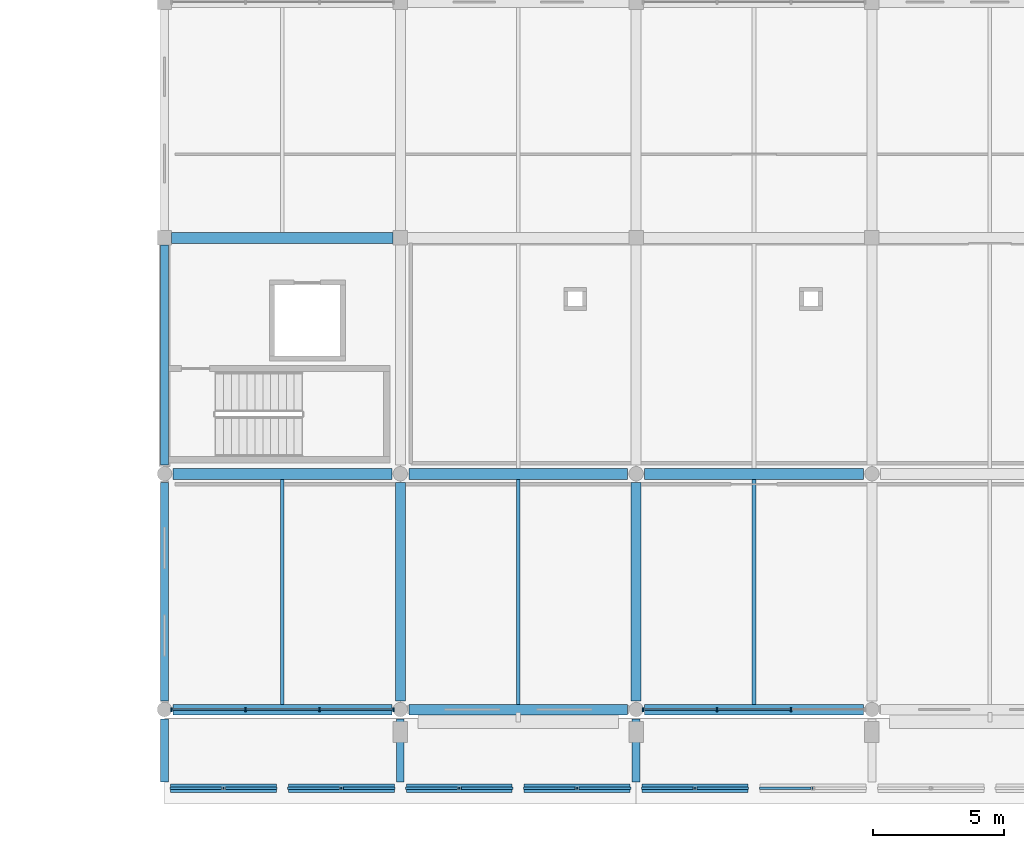
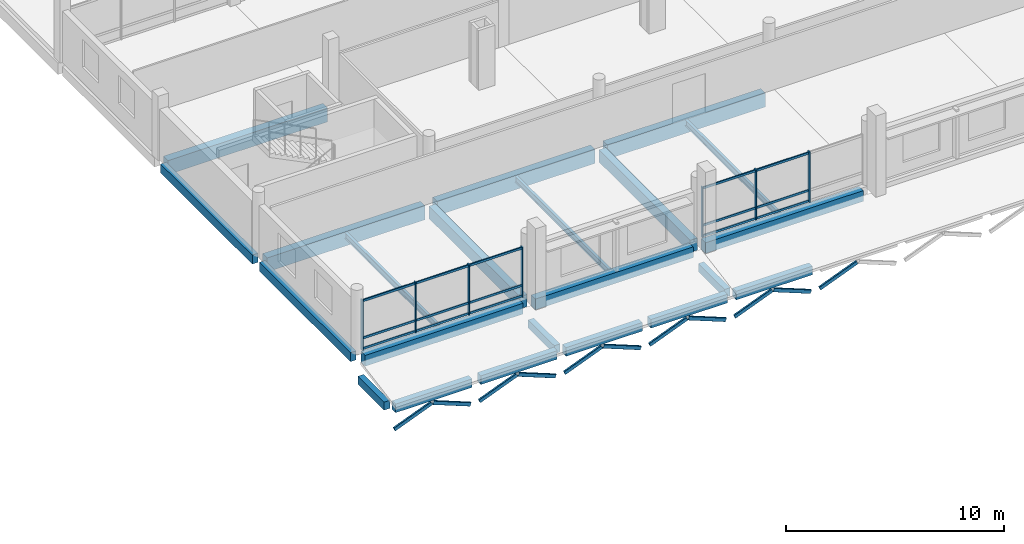
# One storey, part 55 of 132: 33 members, 22 beams, 2 elements without a shape of their own.
"""IFC4 building model written with IfcOpenShell, lengths in metres."""

from ifc_helpers import new_model, si_unit, direction, frame, origin, origin_2d, place, context, subcontext, project, spatial, rectangle, hollow_rectangle, i_section, extrude, material, material_profile, profile_set, type_object, element, aggregate, save


model = new_model("IFC4")

# Units and contexts
model_context = context("Model", 3, precision=1e-05, world=origin(), true_north=direction((0.0, 1.0)))
body_context = subcontext(model_context, "Body", "Model", "MODEL_VIEW")
ifc_project = project(units=[si_unit("LENGTHUNIT", "METRE"), si_unit("AREAUNIT", "SQUARE_METRE"), si_unit("VOLUMEUNIT", "CUBIC_METRE"), si_unit("PLANEANGLEUNIT", "RADIAN"), si_unit("MASSUNIT", "GRAM", prefix="KILO")], contexts=[model_context])

# Site, building, storey
site_placement = place(None, origin())
site = spatial("IfcSite", under=ifc_project, at=site_placement, CompositionType="ELEMENT")
building_placement = place(site_placement, origin())
building = spatial("IfcBuilding", under=site, at=building_placement, Name="Tharagai Park Tramway Depot", CompositionType="ELEMENT")
storey_placement = place(building_placement, frame((0.0, 0.0, 4.800048828125)))
storey = spatial("IfcBuildingStorey", under=building, at=storey_placement, Name="L01", CompositionType="ELEMENT", Elevation=4.800048828125)

# Beams
ifc_material_1 = material(Name="Concrete M35", Category="concrete")
ifc_material_profile_1 = material_profile(ifc_material_1, rectangle(XDim=0.3798828125, YDim=0.679931640625, at=origin_2d()), Name="RC 380x680")
ifc_profile_set_1 = profile_set([ifc_material_profile_1], Name="Concrete M35")
beam_type_1 = type_object("IfcBeamType", Name="BM-12", PredefinedType="BEAM", material=ifc_profile_set_1)
for number, where, z_axis, x_axis, name in (
    (1, (144.0, 0.324951171875, -0.570068359375), (0.0, 1.0, 0.0), (-1.0, 0.0, 0.0), "L01 Grid Beam BM-12"),
    (2, (153.0, 0.324951171875, -0.570068359375), (0.0, 1.0, 0.0), (-1.0, 0.0, 0.0), "L01 Grid Beam BM-12"),
):
    element("IfcBeam", number, at=place(storey_placement, frame(where, z_axis=z_axis, x_axis=x_axis)), inside=storey, type_object=beam_type_1, Name=name, PredefinedType="BEAM", context=body_context, shape_type="SweptSolid", body=[
        extrude(rectangle(XDim=0.3798828125, YDim=0.679931640625, at=origin_2d()), origin(), (0.0, 0.0, 1.0), 8.35009765625),
    ])
ifc_material_profile_2 = material_profile(ifc_material_1, rectangle(XDim=0.300048828125, YDim=0.449951171875, at=origin_2d()), Name="RC 300x450")
ifc_profile_set_2 = profile_set([ifc_material_profile_2], Name="Concrete M35")
beam_type_2 = type_object("IfcBeamType", Name="BM-14", PredefinedType="BEAM", material=ifc_profile_set_2)
for number, where, z_axis, x_axis, name in (
    (3, (135.0, -2.760009765625, -1.344970703125), (0.0, 1.0, 0.0), (-1.0, 0.0, 0.0), "Gothic Cloister Transverse Tie Beam BM-14"),
    (4, (144.0, -2.760009765625, -1.344970703125), (0.0, 1.0, 0.0), (-1.0, 0.0, 0.0), "Gothic Cloister Transverse Tie Beam BM-14"),
    (5, (153.0, -2.760009765625, -1.344970703125), (0.0, 1.0, 0.0), (-1.0, 0.0, 0.0), "Gothic Cloister Transverse Tie Beam BM-14"),
):
    element("IfcBeam", number, at=place(storey_placement, frame(where, z_axis=z_axis, x_axis=x_axis)), inside=storey, type_object=beam_type_2, Name=name, PredefinedType="BEAM", context=body_context, shape_type="SweptSolid", body=[
        extrude(rectangle(XDim=0.300048828125, YDim=0.449951171875, at=origin_2d()), origin(), (0.0, 0.0, 1.0), 2.39990234375),
    ])
ifc_material_profile_3 = material_profile(ifc_material_1, rectangle(XDim=0.419921875, YDim=0.780029296875, at=origin_2d()), Name="RC 420x780")
ifc_profile_set_3 = profile_set([ifc_material_profile_3], Name="Concrete M35")
beam_type_3 = type_object("IfcBeamType", Name="BM-16", PredefinedType="BEAM", material=ifc_profile_set_3)
for number, where, z_axis, x_axis, name in (
    (6, (135.324951171875, 9.0, -0.6201171875), (1.0, 0.0, 0.0), (0.0, 1.0, 0.0), "L01 Grid Beam BM-16"),
    (7, (144.324951171875, 9.0, -0.6201171875), (1.0, 0.0, 0.0), (0.0, 1.0, 0.0), "L01 Grid Beam BM-16"),
    (8, (153.324951171875, 9.0, -0.6201171875), (1.0, 0.0, 0.0), (0.0, 1.0, 0.0), "L01 Grid Beam BM-16"),
):
    element("IfcBeam", number, at=place(storey_placement, frame(where, z_axis=z_axis, x_axis=x_axis)), inside=storey, type_object=beam_type_3, Name=name, PredefinedType="BEAM", context=body_context, shape_type="SweptSolid", body=[
        extrude(rectangle(XDim=0.419921875, YDim=0.780029296875, at=origin_2d()), origin(), (0.0, 0.0, 1.0), 8.35009765625),
    ])
beam_1_placement = place(storey_placement, frame((135.27490234375, 18.0, -0.6201171875), z_axis=(1.0, 0.0, 0.0), x_axis=(0.0, 1.0, 0.0)))
element("IfcBeam", 9, at=beam_1_placement, inside=storey, type_object=beam_type_3, Name="L01 Grid Beam BM-16", PredefinedType="BEAM", context=body_context, shape_type="SweptSolid", body=[
    extrude(rectangle(XDim=0.419921875, YDim=0.780029296875, at=origin_2d()), origin(), (0.0, 0.0, 1.0), 8.4501953125),
])

# Curtain wall, members
ifc_material_2 = material(Name="Anodised aluminium", Category="aluminium")
curtain_wall_type = type_object("IfcCurtainWallType", Name="CW-06", PredefinedType="NOTDEFINED", material=ifc_material_2)
curtain_wall_1_placement = place(storey_placement, origin())
curtain_wall_1 = element("IfcCurtainWall", 10, at=curtain_wall_1_placement, inside=storey, type_object=curtain_wall_type, Name="L01 V5 Gothic Mullioned Curtain Wall CW-06", PredefinedType="NOTDEFINED")
ifc_material_profile_4 = material_profile(ifc_material_2, rectangle(XDim=0.06494140625, YDim=0.1201171875, at=origin_2d()), Name="ALU 65x120")
ifc_profile_set_4 = profile_set([ifc_material_profile_4], Name="Anodised aluminium")
member_type_1 = type_object("IfcMemberType", Name="CM-01", PredefinedType="USERDEFINED", material=ifc_profile_set_4)
member_1_placement = place(storey_placement, frame((135.280029296875, 0.0, 0.06005859375), z_axis=(1.0, 0.0, 0.0), x_axis=(0.0, 1.0, 0.0)))
member_1 = element("IfcMember", 11, at=member_1_placement, type_object=member_type_1, Name="L01 V5 Gothic Mullioned Curtain Wall Transom 1.1", ObjectType="TRANSOM", PredefinedType="USERDEFINED", context=body_context, shape_type="SweptSolid", body=[
    extrude(rectangle(XDim=0.06494140625, YDim=0.1201171875, at=origin_2d()), origin(), (0.0, 0.0, 1.0), 2.793212890625),
])
member_2_placement = place(storey_placement, frame((135.280029296875, 0.0, 0.64990234375), z_axis=(1.0, 0.0, 0.0), x_axis=(0.0, 1.0, 0.0)))
member_2 = element("IfcMember", 12, at=member_2_placement, type_object=member_type_1, Name="L01 V5 Gothic Mullioned Curtain Wall Transom 1.2", ObjectType="TRANSOM", PredefinedType="USERDEFINED", context=body_context, shape_type="SweptSolid", body=[
    extrude(rectangle(XDim=0.06494140625, YDim=0.1201171875, at=origin_2d()), origin(), (0.0, 0.0, 1.0), 2.793212890625),
])
member_3_placement = place(storey_placement, frame((135.280029296875, 0.0, 2.72998046875), z_axis=(1.0, 0.0, 0.0), x_axis=(0.0, 1.0, 0.0)))
member_3 = element("IfcMember", 13, at=member_3_placement, type_object=member_type_1, Name="L01 V5 Gothic Mullioned Curtain Wall Transom 1.3", ObjectType="TRANSOM", PredefinedType="USERDEFINED", context=body_context, shape_type="SweptSolid", body=[
    extrude(rectangle(XDim=0.06494140625, YDim=0.1201171875, at=origin_2d()), origin(), (0.0, 0.0, 1.0), 2.793212890625),
])
member_4_placement = place(storey_placement, frame((138.103271484375, 0.0, 0.06005859375), z_axis=(1.0, 0.0, 0.0), x_axis=(0.0, 1.0, 0.0)))
member_4 = element("IfcMember", 14, at=member_4_placement, type_object=member_type_1, Name="L01 V5 Gothic Mullioned Curtain Wall Transom 2.1", ObjectType="TRANSOM", PredefinedType="USERDEFINED", context=body_context, shape_type="SweptSolid", body=[
    extrude(rectangle(XDim=0.06494140625, YDim=0.1201171875, at=origin_2d()), origin(), (0.0, 0.0, 1.0), 2.79345703125),
])
member_5_placement = place(storey_placement, frame((138.103271484375, 0.0, 0.64990234375), z_axis=(1.0, 0.0, 0.0), x_axis=(0.0, 1.0, 0.0)))
member_5 = element("IfcMember", 15, at=member_5_placement, type_object=member_type_1, Name="L01 V5 Gothic Mullioned Curtain Wall Transom 2.2", ObjectType="TRANSOM", PredefinedType="USERDEFINED", context=body_context, shape_type="SweptSolid", body=[
    extrude(rectangle(XDim=0.06494140625, YDim=0.1201171875, at=origin_2d()), origin(), (0.0, 0.0, 1.0), 2.79345703125),
])
member_6_placement = place(storey_placement, frame((138.103271484375, 0.0, 2.72998046875), z_axis=(1.0, 0.0, 0.0), x_axis=(0.0, 1.0, 0.0)))
member_6 = element("IfcMember", 16, at=member_6_placement, type_object=member_type_1, Name="L01 V5 Gothic Mullioned Curtain Wall Transom 2.3", ObjectType="TRANSOM", PredefinedType="USERDEFINED", context=body_context, shape_type="SweptSolid", body=[
    extrude(rectangle(XDim=0.06494140625, YDim=0.1201171875, at=origin_2d()), origin(), (0.0, 0.0, 1.0), 2.79345703125),
])
member_7_placement = place(storey_placement, frame((140.9267578125, 0.0, 0.06005859375), z_axis=(1.0, 0.0, 0.0), x_axis=(0.0, 1.0, 0.0)))
member_7 = element("IfcMember", 17, at=member_7_placement, type_object=member_type_1, Name="L01 V5 Gothic Mullioned Curtain Wall Transom 3.1", ObjectType="TRANSOM", PredefinedType="USERDEFINED", context=body_context, shape_type="SweptSolid", body=[
    extrude(rectangle(XDim=0.06494140625, YDim=0.1201171875, at=origin_2d()), origin(), (0.0, 0.0, 1.0), 2.793212890625),
])
member_8_placement = place(storey_placement, frame((140.9267578125, 0.0, 0.64990234375), z_axis=(1.0, 0.0, 0.0), x_axis=(0.0, 1.0, 0.0)))
member_8 = element("IfcMember", 18, at=member_8_placement, type_object=member_type_1, Name="L01 V5 Gothic Mullioned Curtain Wall Transom 3.2", ObjectType="TRANSOM", PredefinedType="USERDEFINED", context=body_context, shape_type="SweptSolid", body=[
    extrude(rectangle(XDim=0.06494140625, YDim=0.1201171875, at=origin_2d()), origin(), (0.0, 0.0, 1.0), 2.793212890625),
])
member_9_placement = place(storey_placement, frame((140.9267578125, 0.0, 2.72998046875), z_axis=(1.0, 0.0, 0.0), x_axis=(0.0, 1.0, 0.0)))
member_9 = element("IfcMember", 19, at=member_9_placement, type_object=member_type_1, Name="L01 V5 Gothic Mullioned Curtain Wall Transom 3.3", ObjectType="TRANSOM", PredefinedType="USERDEFINED", context=body_context, shape_type="SweptSolid", body=[
    extrude(rectangle(XDim=0.06494140625, YDim=0.1201171875, at=origin_2d()), origin(), (0.0, 0.0, 1.0), 2.793212890625),
])

curtain_wall_2_placement = place(storey_placement, origin())
curtain_wall_2 = element("IfcCurtainWall", 20, at=curtain_wall_2_placement, inside=storey, type_object=curtain_wall_type, Name="L01 V5 Gothic Mullioned Curtain Wall CW-06", PredefinedType="NOTDEFINED")
member_10_placement = place(storey_placement, frame((153.280029296875, 0.0, 0.06005859375), z_axis=(1.0, 0.0, 0.0), x_axis=(0.0, 1.0, 0.0)))
member_10 = element("IfcMember", 21, at=member_10_placement, type_object=member_type_1, Name="L01 V5 Gothic Mullioned Curtain Wall Transom 1.1", ObjectType="TRANSOM", PredefinedType="USERDEFINED", context=body_context, shape_type="SweptSolid", body=[
    extrude(rectangle(XDim=0.06494140625, YDim=0.1201171875, at=origin_2d()), origin(), (0.0, 0.0, 1.0), 2.793212890625),
])
member_11_placement = place(storey_placement, frame((153.280029296875, 0.0, 0.64990234375), z_axis=(1.0, 0.0, 0.0), x_axis=(0.0, 1.0, 0.0)))
member_11 = element("IfcMember", 22, at=member_11_placement, type_object=member_type_1, Name="L01 V5 Gothic Mullioned Curtain Wall Transom 1.2", ObjectType="TRANSOM", PredefinedType="USERDEFINED", context=body_context, shape_type="SweptSolid", body=[
    extrude(rectangle(XDim=0.06494140625, YDim=0.1201171875, at=origin_2d()), origin(), (0.0, 0.0, 1.0), 2.793212890625),
])
member_12_placement = place(storey_placement, frame((153.280029296875, 0.0, 2.72998046875), z_axis=(1.0, 0.0, 0.0), x_axis=(0.0, 1.0, 0.0)))
member_12 = element("IfcMember", 23, at=member_12_placement, type_object=member_type_1, Name="L01 V5 Gothic Mullioned Curtain Wall Transom 1.3", ObjectType="TRANSOM", PredefinedType="USERDEFINED", context=body_context, shape_type="SweptSolid", body=[
    extrude(rectangle(XDim=0.06494140625, YDim=0.1201171875, at=origin_2d()), origin(), (0.0, 0.0, 1.0), 2.793212890625),
])
member_13_placement = place(storey_placement, frame((156.103271484375, 0.0, 0.06005859375), z_axis=(1.0, 0.0, 0.0), x_axis=(0.0, 1.0, 0.0)))
member_13 = element("IfcMember", 24, at=member_13_placement, type_object=member_type_1, Name="L01 V5 Gothic Mullioned Curtain Wall Transom 2.1", ObjectType="TRANSOM", PredefinedType="USERDEFINED", context=body_context, shape_type="SweptSolid", body=[
    extrude(rectangle(XDim=0.06494140625, YDim=0.1201171875, at=origin_2d()), origin(), (0.0, 0.0, 1.0), 2.79345703125),
])
member_14_placement = place(storey_placement, frame((156.103271484375, 0.0, 0.64990234375), z_axis=(1.0, 0.0, 0.0), x_axis=(0.0, 1.0, 0.0)))
member_14 = element("IfcMember", 25, at=member_14_placement, type_object=member_type_1, Name="L01 V5 Gothic Mullioned Curtain Wall Transom 2.2", ObjectType="TRANSOM", PredefinedType="USERDEFINED", context=body_context, shape_type="SweptSolid", body=[
    extrude(rectangle(XDim=0.06494140625, YDim=0.1201171875, at=origin_2d()), origin(), (0.0, 0.0, 1.0), 2.79345703125),
])
member_15_placement = place(storey_placement, frame((156.103271484375, 0.0, 2.72998046875), z_axis=(1.0, 0.0, 0.0), x_axis=(0.0, 1.0, 0.0)))
member_15 = element("IfcMember", 26, at=member_15_placement, type_object=member_type_1, Name="L01 V5 Gothic Mullioned Curtain Wall Transom 2.3", ObjectType="TRANSOM", PredefinedType="USERDEFINED", context=body_context, shape_type="SweptSolid", body=[
    extrude(rectangle(XDim=0.06494140625, YDim=0.1201171875, at=origin_2d()), origin(), (0.0, 0.0, 1.0), 2.79345703125),
])

# Member
ifc_material_profile_5 = material_profile(ifc_material_2, rectangle(XDim=0.06494140625, YDim=0.14990234375, at=origin_2d()), Name="ALU 65x150")
ifc_profile_set_5 = profile_set([ifc_material_profile_5], Name="Anodised aluminium")
member_type_2 = type_object("IfcMemberType", Name="CM-03", PredefinedType="MULLION", material=ifc_profile_set_5)
member_16_placement = place(storey_placement, frame((135.264892578125, 0.0, -0.005126953125), z_axis=(0.0, 0.0, 1.0), x_axis=(1.0, 0.0, 0.0)))
member_16 = element("IfcMember", 27, at=member_16_placement, type_object=member_type_2, Name="L01 V5 Gothic Mullioned Curtain Wall Mullion 1", PredefinedType="MULLION", context=body_context, shape_type="SweptSolid", body=[
    extrude(rectangle(XDim=0.06494140625, YDim=0.14990234375, at=origin_2d()), origin(), (0.0, 0.0, 1.0), 2.820068359375),
])

member_17_placement = place(storey_placement, frame((138.08837890625, 0.0, -0.005126953125), z_axis=(0.0, 0.0, 1.0), x_axis=(1.0, 0.0, 0.0)))
member_17 = element("IfcMember", 28, at=member_17_placement, type_object=member_type_2, Name="L01 V5 Gothic Mullioned Curtain Wall Mullion 2", PredefinedType="MULLION", context=body_context, shape_type="SweptSolid", body=[
    extrude(rectangle(XDim=0.06494140625, YDim=0.14990234375, at=origin_2d()), origin(), (0.0, 0.0, 1.0), 2.820068359375),
])

member_18_placement = place(storey_placement, frame((140.91162109375, 0.0, -0.005126953125), z_axis=(0.0, 0.0, 1.0), x_axis=(1.0, 0.0, 0.0)))
member_18 = element("IfcMember", 29, at=member_18_placement, type_object=member_type_2, Name="L01 V5 Gothic Mullioned Curtain Wall Mullion 3", PredefinedType="MULLION", context=body_context, shape_type="SweptSolid", body=[
    extrude(rectangle(XDim=0.06494140625, YDim=0.14990234375, at=origin_2d()), origin(), (0.0, 0.0, 1.0), 2.820068359375),
])

member_19_placement = place(storey_placement, frame((143.735107421875, 0.0, -0.005126953125), z_axis=(0.0, 0.0, 1.0), x_axis=(1.0, 0.0, 0.0)))
member_19 = element("IfcMember", 30, at=member_19_placement, type_object=member_type_2, Name="L01 V5 Gothic Mullioned Curtain Wall Mullion 4", PredefinedType="MULLION", context=body_context, shape_type="SweptSolid", body=[
    extrude(rectangle(XDim=0.06494140625, YDim=0.14990234375, at=origin_2d()), origin(), (0.0, 0.0, 1.0), 2.820068359375),
])

aggregate(curtain_wall_1, [member_16, member_17, member_18, member_19, member_1, member_2, member_3, member_4, member_5, member_6, member_7, member_8, member_9])

member_20_placement = place(storey_placement, frame((153.264892578125, 0.0, -0.005126953125), z_axis=(0.0, 0.0, 1.0), x_axis=(1.0, 0.0, 0.0)))
member_20 = element("IfcMember", 31, at=member_20_placement, type_object=member_type_2, Name="L01 V5 Gothic Mullioned Curtain Wall Mullion 1", PredefinedType="MULLION", context=body_context, shape_type="SweptSolid", body=[
    extrude(rectangle(XDim=0.06494140625, YDim=0.14990234375, at=origin_2d()), origin(), (0.0, 0.0, 1.0), 2.820068359375),
])

member_21_placement = place(storey_placement, frame((156.08837890625, 0.0, -0.005126953125), z_axis=(0.0, 0.0, 1.0), x_axis=(1.0, 0.0, 0.0)))
member_21 = element("IfcMember", 32, at=member_21_placement, type_object=member_type_2, Name="L01 V5 Gothic Mullioned Curtain Wall Mullion 2", PredefinedType="MULLION", context=body_context, shape_type="SweptSolid", body=[
    extrude(rectangle(XDim=0.06494140625, YDim=0.14990234375, at=origin_2d()), origin(), (0.0, 0.0, 1.0), 2.820068359375),
])

member_22_placement = place(storey_placement, frame((158.91162109375, 0.0, -0.005126953125), z_axis=(0.0, 0.0, 1.0), x_axis=(1.0, 0.0, 0.0)))
member_22 = element("IfcMember", 33, at=member_22_placement, type_object=member_type_2, Name="L01 V5 Gothic Mullioned Curtain Wall Mullion 3", PredefinedType="MULLION", context=body_context, shape_type="SweptSolid", body=[
    extrude(rectangle(XDim=0.06494140625, YDim=0.14990234375, at=origin_2d()), origin(), (0.0, 0.0, 1.0), 2.820068359375),
])

aggregate(curtain_wall_2, [member_20, member_21, member_22, member_10, member_11, member_12, member_13, member_14, member_15])

# Beams
ifc_material_3 = material(Name="Steel E350", Category="steel")
ifc_material_profile_6 = material_profile(ifc_material_3, i_section(OverallWidth=0.139892578125, OverallDepth=0.35009765625, WebThickness=0.008056640625, FlangeThickness=0.01416015625, FilletRadius=0.013916015625, at=origin_2d()), Name="ISMB 350")
ifc_profile_set_6 = profile_set([ifc_material_profile_6], Name="Steel E350")
beam_type_4 = type_object("IfcBeamType", Name="JT-01", PredefinedType="JOIST", material=ifc_profile_set_6)
for number, where, z_axis, x_axis, name in (
    (34, (139.5, 0.199951171875, -0.405029296875), (0.0, 1.0, 0.0), (-1.0, 0.0, 0.0), "L01 Secondary Joist JT-01"),
    (35, (148.5, 0.199951171875, -0.405029296875), (0.0, 1.0, 0.0), (-1.0, 0.0, 0.0), "L01 Secondary Joist JT-01"),
    (36, (157.5, 0.199951171875, -0.405029296875), (0.0, 1.0, 0.0), (-1.0, 0.0, 0.0), "L01 Secondary Joist JT-01"),
):
    element("IfcBeam", number, at=place(storey_placement, frame(where, z_axis=z_axis, x_axis=x_axis)), inside=storey, type_object=beam_type_4, Name=name, PredefinedType="JOIST", context=body_context, shape_type="SweptSolid", body=[
        extrude(i_section(OverallWidth=0.139892578125, OverallDepth=0.35009765625, WebThickness=0.008056640625, FlangeThickness=0.01416015625, FilletRadius=0.013916015625, at=origin_2d()), origin(), (0.0, 0.0, 1.0), 8.590087890625),
    ])

# Members
ifc_material_profile_7 = material_profile(ifc_material_3, hollow_rectangle(XDim=0.10009765625, YDim=0.199951171875, WallThickness=0.006103515625, InnerFilletRadius=0.006103515625, OuterFilletRadius=0.011962890625, at=origin_2d()), Name="RHS 200x100x6")
ifc_profile_set_7 = profile_set([ifc_material_profile_7], Name="Steel E350")
member_type_3 = type_object("IfcMemberType", Name="RF-04", PredefinedType="RAFTER", material=ifc_profile_set_7)
for number, where, z_axis, x_axis, name in (
    (37, (135.239990234375, -3.0, -2.6201171875), (0.929766353739, 0.0, 0.368150142545), (0.0, 1.0, 0.0), "Pointed Gothic Arcade Arch Rib Left RF-04"),
    (38, (139.260009765625, -3.0, -2.6201171875), (-0.929766353739, 0.0, 0.368150142545), (0.0, -1.0, 0.0), "Pointed Gothic Arcade Arch Rib Right RF-04"),
    (39, (139.739990234375, -3.0, -2.6201171875), (0.929766353739, 0.0, 0.368150142545), (0.0, 1.0, 0.0), "Pointed Gothic Arcade Arch Rib Left RF-04"),
    (40, (143.760009765625, -3.0, -2.6201171875), (-0.929766353739, 0.0, 0.368150142545), (0.0, -1.0, 0.0), "Pointed Gothic Arcade Arch Rib Right RF-04"),
    (41, (144.239990234375, -3.0, -2.6201171875), (0.929766353739, 0.0, 0.368150142545), (0.0, 1.0, 0.0), "Pointed Gothic Arcade Arch Rib Left RF-04"),
    (42, (148.260009765625, -3.0, -2.6201171875), (-0.929766353739, 0.0, 0.368150142545), (0.0, -1.0, 0.0), "Pointed Gothic Arcade Arch Rib Right RF-04"),
    (43, (148.739990234375, -3.0, -2.6201171875), (0.929766353739, 0.0, 0.368150142545), (0.0, 1.0, 0.0), "Pointed Gothic Arcade Arch Rib Left RF-04"),
    (44, (152.760009765625, -3.0, -2.6201171875), (-0.929766353739, 0.0, 0.368150142545), (0.0, -1.0, 0.0), "Pointed Gothic Arcade Arch Rib Right RF-04"),
    (45, (153.239990234375, -3.0, -2.6201171875), (0.929766353739, 0.0, 0.368150142545), (0.0, 1.0, 0.0), "Pointed Gothic Arcade Arch Rib Left RF-04"),
    (46, (157.260009765625, -3.0, -2.6201171875), (-0.929766353739, 0.0, 0.368150142545), (0.0, -1.0, 0.0), "Pointed Gothic Arcade Arch Rib Right RF-04"),
    (47, (157.739990234375, -3.0, -2.6201171875), (0.929766353739, 0.0, 0.368150142545), (0.0, 1.0, 0.0), "Pointed Gothic Arcade Arch Rib Left RF-04"),
):
    element("IfcMember", number, at=place(storey_placement, frame(where, z_axis=z_axis, x_axis=x_axis)), inside=storey, type_object=member_type_3, Name=name, PredefinedType="RAFTER", context=body_context, shape_type="SweptSolid", body=[
        extrude(hollow_rectangle(XDim=0.10009765625, YDim=0.199951171875, WallThickness=0.006103515625, InnerFilletRadius=0.006103515625, OuterFilletRadius=0.011962890625, at=origin_2d()), origin(), (0.0, 0.0, 1.0), 2.118896484375),
    ])

# Beams
ifc_material_profile_8 = material_profile(ifc_material_1, rectangle(XDim=0.39990234375, YDim=0.60009765625, at=origin_2d()), Name="RC 400x600")
ifc_profile_set_8 = profile_set([ifc_material_profile_8], Name="Concrete M35")
beam_type_5 = type_object("IfcBeamType", Name="SP-02", PredefinedType="SPANDREL", material=ifc_profile_set_8)
for number, where, z_axis, x_axis, name in (
    (48, (135.324951171875, 0.0, -0.530029296875), (1.0, 0.0, 0.0), (0.0, 1.0, 0.0), "L01 Grid Beam SP-02"),
    (49, (144.324951171875, 0.0, -0.530029296875), (1.0, 0.0, 0.0), (0.0, 1.0, 0.0), "L01 Grid Beam SP-02"),
    (50, (153.324951171875, 0.0, -0.530029296875), (1.0, 0.0, 0.0), (0.0, 1.0, 0.0), "L01 Grid Beam SP-02"),
):
    element("IfcBeam", number, at=place(storey_placement, frame(where, z_axis=z_axis, x_axis=x_axis)), inside=storey, type_object=beam_type_5, Name=name, PredefinedType="SPANDREL", context=body_context, shape_type="SweptSolid", body=[
        extrude(rectangle(XDim=0.39990234375, YDim=0.60009765625, at=origin_2d()), origin(), (0.0, 0.0, 1.0), 8.35009765625),
    ])
ifc_material_profile_9 = material_profile(ifc_material_1, rectangle(XDim=0.300048828125, YDim=0.5, at=origin_2d()), Name="RC 300x500")
ifc_profile_set_9 = profile_set([ifc_material_profile_9], Name="Concrete M35")
beam_type_6 = type_object("IfcBeamType", Name="SP-03", PredefinedType="SPANDREL", material=ifc_profile_set_9)
beam_2_placement = place(storey_placement, frame((135.0, 0.324951171875, -0.47998046875), z_axis=(0.0, 1.0, 0.0), x_axis=(-1.0, 0.0, 0.0)))
element("IfcBeam", 51, at=beam_2_placement, inside=storey, type_object=beam_type_6, Name="L01 Grid Beam SP-03", PredefinedType="SPANDREL", context=body_context, shape_type="SweptSolid", body=[
    extrude(rectangle(XDim=0.300048828125, YDim=0.5, at=origin_2d()), origin(), (0.0, 0.0, 1.0), 8.35009765625),
])
beam_3_placement = place(storey_placement, frame((135.0, 9.324951171875, -0.47998046875), z_axis=(0.0, 1.0, 0.0), x_axis=(-1.0, 0.0, 0.0)))
element("IfcBeam", 52, at=beam_3_placement, inside=storey, type_object=beam_type_6, Name="L01 Grid Beam SP-03", PredefinedType="SPANDREL", context=body_context, shape_type="SweptSolid", body=[
    extrude(rectangle(XDim=0.300048828125, YDim=0.5, at=origin_2d()), origin(), (0.0, 0.0, 1.0), 8.400146484375),
])
ifc_material_profile_10 = material_profile(ifc_material_1, rectangle(XDim=0.320068359375, YDim=0.47998046875, at=origin_2d()), Name="RC 320x480")
ifc_profile_set_10 = profile_set([ifc_material_profile_10], Name="Concrete M35")
beam_type_7 = type_object("IfcBeamType", Name="SP-05", PredefinedType="SPANDREL", material=ifc_profile_set_10)
for number, where, z_axis, x_axis, name in (
    (53, (135.22998046875, -3.0, -1.360107421875), (1.0, 0.0, 0.0), (0.0, 1.0, 0.0), "Gothic Cloister Arcade Spandrel Lintel SP-05"),
    (54, (139.72998046875, -3.0, -1.360107421875), (1.0, 0.0, 0.0), (0.0, 1.0, 0.0), "Gothic Cloister Arcade Spandrel Lintel SP-05"),
    (55, (144.22998046875, -3.0, -1.360107421875), (1.0, 0.0, 0.0), (0.0, 1.0, 0.0), "Gothic Cloister Arcade Spandrel Lintel SP-05"),
    (56, (148.72998046875, -3.0, -1.360107421875), (1.0, 0.0, 0.0), (0.0, 1.0, 0.0), "Gothic Cloister Arcade Spandrel Lintel SP-05"),
    (57, (153.22998046875, -3.0, -1.360107421875), (1.0, 0.0, 0.0), (0.0, 1.0, 0.0), "Gothic Cloister Arcade Spandrel Lintel SP-05"),
):
    element("IfcBeam", number, at=place(storey_placement, frame(where, z_axis=z_axis, x_axis=x_axis)), inside=storey, type_object=beam_type_7, Name=name, PredefinedType="SPANDREL", context=body_context, shape_type="SweptSolid", body=[
        extrude(rectangle(XDim=0.320068359375, YDim=0.47998046875, at=origin_2d()), origin(), (0.0, 0.0, 1.0), 4.0400390625),
    ])

save(model, "model.ifc")
